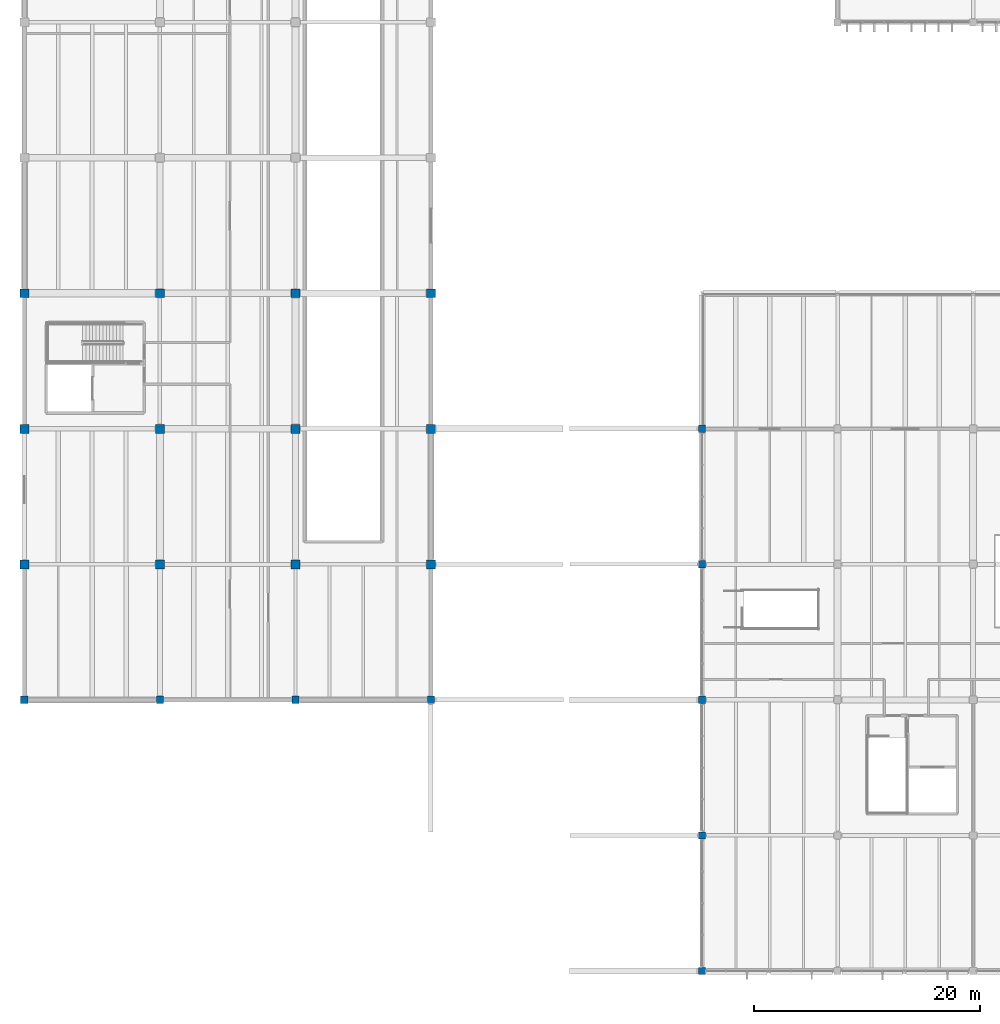
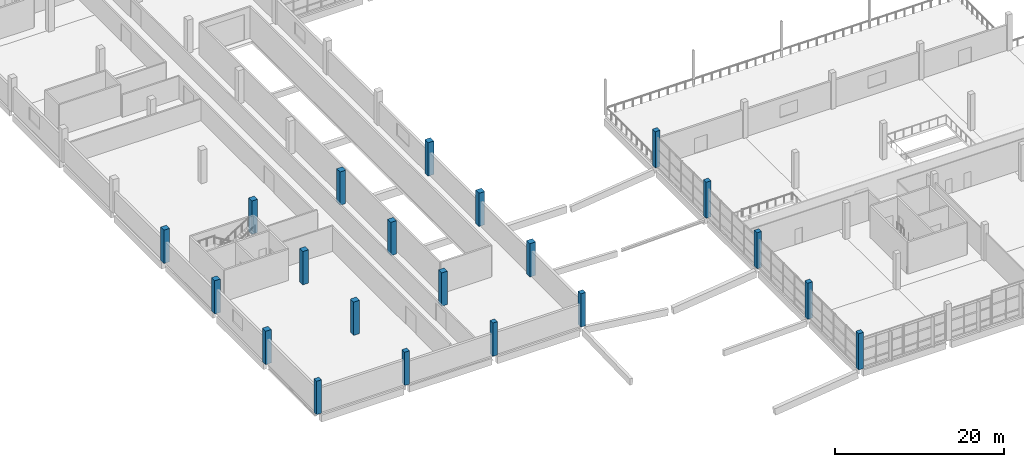
# One storey, part 1 of 112: 21 columns.
"""IFC4 building model written with IfcOpenShell, lengths in metres."""

from ifc_helpers import new_model, si_unit, direction, frame, origin, origin_2d, place, context, subcontext, project, spatial, rectangle, extrude, material, material_profile, profile_set, type_object, element, save


model = new_model("IFC4")

# Units and contexts
model_context = context("Model", 3, precision=1e-05, world=origin(), true_north=direction((0.0, 1.0)))
body_context = subcontext(model_context, "Body", "Model", "MODEL_VIEW")
ifc_project = project(units=[si_unit("LENGTHUNIT", "METRE"), si_unit("AREAUNIT", "SQUARE_METRE"), si_unit("VOLUMEUNIT", "CUBIC_METRE"), si_unit("PLANEANGLEUNIT", "RADIAN"), si_unit("MASSUNIT", "GRAM", prefix="KILO")], contexts=[model_context])

# Site, building, storey
site_placement = place(None, origin())
site = spatial("IfcSite", under=ifc_project, at=site_placement, CompositionType="ELEMENT")
building_placement = place(site_placement, origin())
building = spatial("IfcBuilding", under=site, at=building_placement, Name="Kamomehara Wholesale Market", CompositionType="ELEMENT")
storey_placement = place(building_placement, frame((0.0, 0.0, 6.60009765625)))
storey = spatial("IfcBuildingStorey", under=building, at=storey_placement, Name="L01", CompositionType="ELEMENT", Elevation=6.60009765625)

# Columns
ifc_material_1 = material(Name="Precast concrete Fc45 (C40/50)", Category="concrete")
ifc_material_profile_1 = material_profile(ifc_material_1, rectangle(XDim=0.64990234375, YDim=0.64990234375, at=origin_2d()), Name="PC-COL-650x650")
ifc_profile_set_1 = profile_set([ifc_material_profile_1], Name="Precast concrete Fc45 (C40/50)")
column_type_1 = type_object("IfcColumnType", Name="COL-PC650-EXT", PredefinedType="COLUMN", material=ifc_profile_set_1)
for number, where, z_axis, x_axis, name in (
    (1, (0.0, 36.0, 0.0), (0.0, 0.0, 1.0), (1.0, 0.0, 0.0), "Column C-06E L01"),
    (2, (12.0, 36.0, 0.0), (0.0, 0.0, 1.0), (1.0, 0.0, 0.0), "Column C-06E L01"),
    (3, (24.0, 36.0, 0.0), (0.0, 0.0, 1.0), (1.0, 0.0, 0.0), "Column C-06E L01"),
    (4, (36.0, 36.0, 0.0), (0.0, 0.0, 1.0), (1.0, 0.0, 0.0), "Column C-06E L01"),
):
    element("IfcColumn", number, at=place(storey_placement, frame(where, z_axis=z_axis, x_axis=x_axis)), inside=storey, type_object=column_type_1, Name=name, PredefinedType="COLUMN", context=body_context, shape_type="SweptSolid", body=[
        extrude(rectangle(XDim=0.64990234375, YDim=0.64990234375, at=origin_2d()), origin(), (0.0, 0.0, 1.0), 4.7998046875),
    ])
for number, where, z_axis, x_axis, name in (
    (5, (60.0, 12.0, 0.0), (0.0, 0.0, 1.0), (1.0, 0.0, 0.0), "Column C-06E L01"),
    (6, (60.0, 24.0, 0.0), (0.0, 0.0, 1.0), (1.0, 0.0, 0.0), "Column C-06E L01"),
    (7, (60.0, 36.0, 0.0), (0.0, 0.0, 1.0), (1.0, 0.0, 0.0), "Column C-06E L01"),
    (8, (60.0, 48.0, 0.0), (0.0, 0.0, 1.0), (1.0, 0.0, 0.0), "Column C-06E L01"),
    (9, (60.0, 60.0, 0.0), (0.0, 0.0, 1.0), (1.0, 0.0, 0.0), "Column C-06E L01"),
):
    element("IfcColumn", number, at=place(storey_placement, frame(where, z_axis=z_axis, x_axis=x_axis)), inside=storey, type_object=column_type_1, Name=name, PredefinedType="COLUMN", context=body_context, shape_type="SweptSolid", body=[
        extrude(rectangle(XDim=0.64990234375, YDim=0.64990234375, at=origin_2d()), origin(), (0.0, 0.0, 1.0), 5.199951171875),
    ])
ifc_material_2 = material(Name="Precast concrete Fc45 (C40/50)", Category="concrete")
ifc_material_profile_2 = material_profile(ifc_material_2, rectangle(XDim=0.780029296875, YDim=0.780029296875, at=origin_2d()), Name="PC-COL-780x780")
ifc_profile_set_2 = profile_set([ifc_material_profile_2], Name="Precast concrete Fc45 (C40/50)")
column_type_2 = type_object("IfcColumnType", Name="COL-PC780", PredefinedType="COLUMN", material=ifc_profile_set_2)
for number, where, z_axis, x_axis, name in (
    (10, (12.0, 72.0, 0.0), (0.0, 0.0, 1.0), (1.0, 0.0, 0.0), "Column C-13 L01"),
    (11, (24.0, 72.0, 0.0), (0.0, 0.0, 1.0), (1.0, 0.0, 0.0), "Column C-13 L01"),
):
    element("IfcColumn", number, at=place(storey_placement, frame(where, z_axis=z_axis, x_axis=x_axis)), inside=storey, type_object=column_type_2, Name=name, PredefinedType="COLUMN", context=body_context, shape_type="SweptSolid", body=[
        extrude(rectangle(XDim=0.780029296875, YDim=0.780029296875, at=origin_2d()), origin(), (0.0, 0.0, 1.0), 4.7998046875),
    ])
ifc_material_3 = material(Name="Precast concrete Fc45 (C40/50)", Category="concrete")
ifc_material_profile_3 = material_profile(ifc_material_3, rectangle(XDim=0.780029296875, YDim=0.780029296875, at=origin_2d()), Name="PC-COL-780x780")
ifc_profile_set_3 = profile_set([ifc_material_profile_3], Name="Precast concrete Fc45 (C40/50)")
column_type_3 = type_object("IfcColumnType", Name="COL-PC780-EXT", PredefinedType="COLUMN", material=ifc_profile_set_3)
for number, where, z_axis, x_axis, name in (
    (12, (0.0, 48.0, 0.0), (0.0, 0.0, 1.0), (1.0, 0.0, 0.0), "Column C-13E L01"),
    (13, (0.0, 60.0, 0.0), (0.0, 0.0, 1.0), (1.0, 0.0, 0.0), "Column C-13E L01"),
    (14, (0.0, 72.0, 0.0), (0.0, 0.0, 1.0), (1.0, 0.0, 0.0), "Column C-13E L01"),
    (15, (12.0, 48.0, 0.0), (0.0, 0.0, 1.0), (1.0, 0.0, 0.0), "Column C-13E L01"),
    (16, (12.0, 60.0, 0.0), (0.0, 0.0, 1.0), (1.0, 0.0, 0.0), "Column C-13E L01"),
    (17, (24.0, 48.0, 0.0), (0.0, 0.0, 1.0), (1.0, 0.0, 0.0), "Column C-13E L01"),
    (18, (24.0, 60.0, 0.0), (0.0, 0.0, 1.0), (1.0, 0.0, 0.0), "Column C-13E L01"),
    (19, (36.0, 48.0, 0.0), (0.0, 0.0, 1.0), (1.0, 0.0, 0.0), "Column C-13E L01"),
    (20, (36.0, 60.0, 0.0), (0.0, 0.0, 1.0), (1.0, 0.0, 0.0), "Column C-13E L01"),
    (21, (36.0, 72.0, 0.0), (0.0, 0.0, 1.0), (1.0, 0.0, 0.0), "Column C-13E L01"),
):
    element("IfcColumn", number, at=place(storey_placement, frame(where, z_axis=z_axis, x_axis=x_axis)), inside=storey, type_object=column_type_3, Name=name, PredefinedType="COLUMN", context=body_context, shape_type="SweptSolid", body=[
        extrude(rectangle(XDim=0.780029296875, YDim=0.780029296875, at=origin_2d()), origin(), (0.0, 0.0, 1.0), 4.7998046875),
    ])

save(model, "model.ifc")
